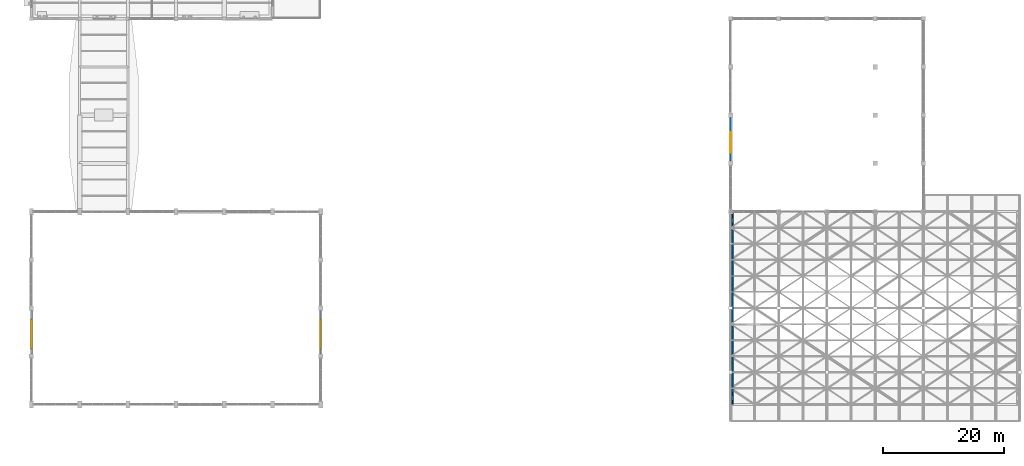
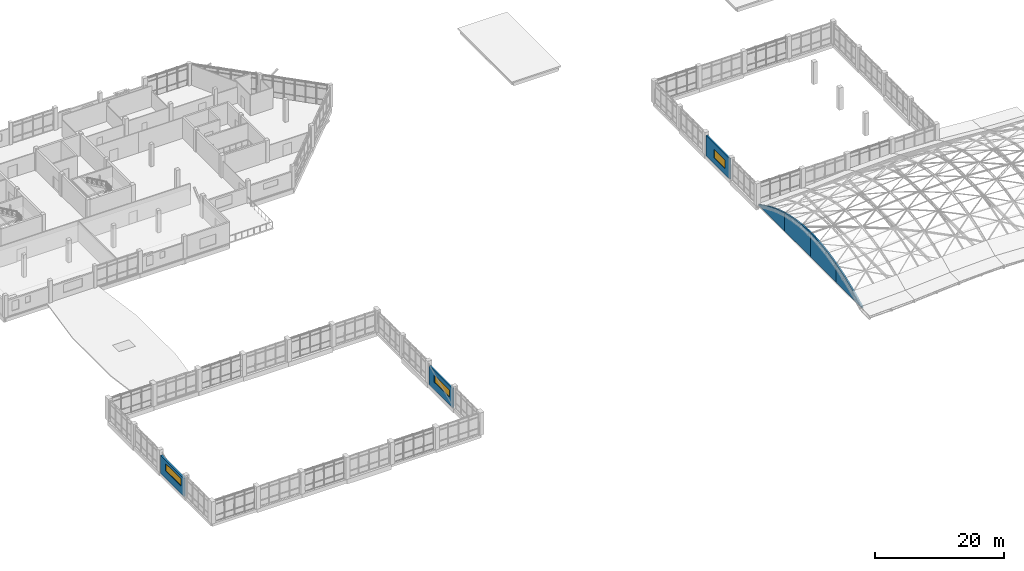
# One storey, part 63 of 72: 7 walls, 3 windows, 3 openings.
"""IFC4 building model written with IfcOpenShell, lengths in metres."""

from ifc_helpers import new_model, si_unit, direction, frame, frame_2d, origin, place, context, subcontext, project, spatial, polyline, rectangle, outline, extrude, material, layer, layer_set, type_object, element, fill, save


model = new_model("IFC4")

# Units and contexts
model_context = context("Model", 3, precision=1e-05, world=origin(), true_north=direction((0.0, 1.0)))
body_context = subcontext(model_context, "Body", "Model", "MODEL_VIEW")
ifc_project = project(units=[si_unit("LENGTHUNIT", "METRE"), si_unit("AREAUNIT", "SQUARE_METRE"), si_unit("VOLUMEUNIT", "CUBIC_METRE"), si_unit("PLANEANGLEUNIT", "RADIAN"), si_unit("MASSUNIT", "GRAM", prefix="KILO")], contexts=[model_context])

# Site, building, storey
site_placement = place(None, origin())
site = spatial("IfcSite", under=ifc_project, at=site_placement, CompositionType="ELEMENT")
building_placement = place(site_placement, origin())
building = spatial("IfcBuilding", under=site, at=building_placement, Name="Tenunan Teduh Sports Hall", CompositionType="ELEMENT")
storey_placement = place(building_placement, frame((0.0, 0.0, 15.0)))
storey = spatial("IfcBuildingStorey", under=building, at=storey_placement, Name="L03", CompositionType="ELEMENT", Elevation=15.0)

# Walls
ifc_material_1 = material(Name="Precast concrete C40/50", Category="concrete")
ifc_layer_1 = layer(ifc_material_1, 0.25)
ifc_layer_set_1 = layer_set([ifc_layer_1], Name="Precast concrete C40/50")
wall_type_1 = type_object("IfcWallType", Name="WL-EXT-250", PredefinedType="SOLIDWALL", material=ifc_layer_set_1)
wall_1_placement = place(storey_placement, frame((122.353515625, 14.0, -0.27001953125), z_axis=(0.0, 0.0, 1.0), x_axis=(0.0, 1.0, 0.0)))
element("IfcWall", 1, at=wall_1_placement, inside=storey, type_object=wall_type_1, Name="WL-EXT-L03-078", PredefinedType="SOLIDWALL", context=body_context, shape_type="SweptSolid", body=[
    extrude(outline(polyline([(0.0, 0.0), (8.0, 0.0), (8.0, 3.470947265625), (6.6669921875, 3.072021484375), (5.3330078125, 2.614990234375), (4.0, 2.095947265625), (2.6669921875, 1.513916015625), (1.3330078125, 0.873046875), (0.0, 0.169921875), (0.0, 0.0)])), frame((0.0, 0.125, 0.0), z_axis=(0.0, -1.0, 0.0), x_axis=(1.0, 0.0, 0.0)), (0.0, 0.0, 1.0), 0.25),
])
wall_2_placement = place(storey_placement, frame((122.353515625, 22.0, -0.27001953125), z_axis=(0.0, 0.0, 1.0), x_axis=(0.0, 1.0, 0.0)))
element("IfcWall", 2, at=wall_2_placement, inside=storey, type_object=wall_type_1, Name="WL-EXT-L03-079", PredefinedType="SOLIDWALL", context=body_context, shape_type="SweptSolid", body=[
    extrude(outline(polyline([(0.0, 0.0), (8.0, 0.0), (8.0, 4.568115234375), (6.6669921875, 4.541015625), (5.3330078125, 4.447021484375), (4.0, 4.294921875), (2.6669921875, 4.080078125), (1.3330078125, 3.80712890625), (0.0, 3.470947265625), (0.0, 0.0)])), frame((0.0, 0.125, 0.0), z_axis=(0.0, -1.0, 0.0), x_axis=(1.0, 0.0, 0.0)), (0.0, 0.0, 1.0), 0.25),
])
wall_3_placement = place(storey_placement, frame((122.353515625, 30.0, -0.27001953125), z_axis=(0.0, 0.0, 1.0), x_axis=(0.0, 1.0, 0.0)))
element("IfcWall", 3, at=wall_3_placement, inside=storey, type_object=wall_type_1, Name="WL-EXT-L03-080", PredefinedType="SOLIDWALL", context=body_context, shape_type="SweptSolid", body=[
    extrude(outline(polyline([(0.0, 0.0), (8.0, 0.0), (8.0, 3.470947265625), (6.6669921875, 3.80712890625), (5.3330078125, 4.080078125), (4.0, 4.294921875), (2.6669921875, 4.447021484375), (1.3330078125, 4.541015625), (0.0, 4.568115234375), (0.0, 0.0)])), frame((0.0, 0.125, 0.0), z_axis=(0.0, -1.0, 0.0), x_axis=(1.0, 0.0, 0.0)), (0.0, 0.0, 1.0), 0.25),
])
wall_4_placement = place(storey_placement, frame((122.353515625, 38.0, -0.27001953125), z_axis=(0.0, 0.0, 1.0), x_axis=(0.0, 1.0, 0.0)))
element("IfcWall", 4, at=wall_4_placement, inside=storey, type_object=wall_type_1, Name="WL-EXT-L03-081", PredefinedType="SOLIDWALL", context=body_context, shape_type="SweptSolid", body=[
    extrude(outline(polyline([(0.0, 0.0), (8.0, 0.0), (8.0, 0.169921875), (6.6669921875, 0.873046875), (5.3330078125, 1.513916015625), (4.0, 2.095947265625), (2.6669921875, 2.614990234375), (1.3330078125, 3.072021484375), (0.0, 3.470947265625), (0.0, 0.0)])), frame((0.0, 0.125, 0.0), z_axis=(0.0, -1.0, 0.0), x_axis=(1.0, 0.0, 0.0)), (0.0, 0.0, 1.0), 0.25),
])

# Wall, opening, window
ifc_material_2 = material(Name="Concrete C40/50", Category="concrete")
ifc_layer_2 = layer(ifc_material_2, 0.280029296875)
ifc_layer_set_2 = layer_set([ifc_layer_2], Name="Concrete C40/50")
wall_type_2 = type_object("IfcWallType", Name="WL-EXT-280", PredefinedType="SOLIDWALL", material=ifc_layer_set_2)
wall_5_placement = place(storey_placement, frame((122.0, 54.375, -0.27001953125), z_axis=(0.0, 0.0, 1.0), x_axis=(0.0, 1.0, 0.0)))
wall_5 = element("IfcWall", 5, at=wall_5_placement, inside=storey, type_object=wall_type_2, Name="WL-EXT-L03-126", PredefinedType="SOLIDWALL", context=body_context, shape_type="SweptSolid", body=[
    extrude(rectangle(XDim=7.25, YDim=0.280029296875, at=frame_2d((3.625, 0.0))), origin(), (0.0, 0.0, 1.0), 3.880126953125),
])
opening_1_placement = place(wall_5_placement, frame((1.39990234375, 0.0, 1.10009765625)))
opening_1 = element("IfcOpeningElement", 6, at=opening_1_placement, cuts=wall_5, Name="Opening W-15", PredefinedType="OPENING", context=body_context, shape_type="SweptSolid", body=[
    extrude(rectangle(XDim=3.39990234375, YDim=1.60009765625, at=frame_2d((1.699951171875, 0.800048828125))), frame((0.0, 0.14990234375, 0.0), z_axis=(0.0, -1.0, 0.0), x_axis=(1.0, 0.0, 0.0)), (0.0, 0.0, 1.0), 0.300048828125),
])
ifc_material_3 = material(Name="Thermally broken aluminium and Low-E glazing", Category="aluminium")
window_type_1 = type_object("IfcWindowType", Name="WIN-15", PartitioningType="TRIPLE_PANEL_VERTICAL", PredefinedType="WINDOW", material=ifc_material_3)
window_1_placement = place(opening_1_placement, origin())
window_1 = element("IfcWindow", 7, at=window_1_placement, inside=storey, type_object=window_type_1, Name="WIN-L03-024", OverallHeight=1.60009765625, OverallWidth=3.39990234375, PartitioningType="SINGLE_PANEL", PredefinedType="WINDOW", context=body_context, shape_type="SweptSolid", body=[
    extrude(rectangle(XDim=3.39990234375, YDim=1.60009765625, at=frame_2d((1.699951171875, 0.800048828125))), frame((0.0, 0.030029296875, 0.0), z_axis=(0.0, -1.0, 0.0), x_axis=(1.0, 0.0, 0.0)), (0.0, 0.0, 1.0), 0.06005859375),
])
fill(opening_1, window_1)

ifc_material_4 = material(Name="Concrete C40/50", Category="concrete")
ifc_layer_3 = layer(ifc_material_4, 0.300048828125)
ifc_layer_set_3 = layer_set([ifc_layer_3], Name="Concrete C40/50")
wall_type_3 = type_object("IfcWallType", Name="WL-EXT-300", PredefinedType="SOLIDWALL", material=ifc_layer_set_3)
wall_6_placement = place(storey_placement, frame((6.0, 22.375, -0.27001953125), z_axis=(0.0, 0.0, 1.0), x_axis=(0.0, 1.0, 0.0)))
wall_6 = element("IfcWall", 8, at=wall_6_placement, inside=storey, type_object=wall_type_3, Name="WL-EXT-L03-106", PredefinedType="SOLIDWALL", context=body_context, shape_type="SweptSolid", body=[
    extrude(rectangle(XDim=7.25, YDim=0.300048828125, at=frame_2d((3.625, 0.0))), origin(), (0.0, 0.0, 1.0), 3.449951171875),
])
opening_2_placement = place(wall_6_placement, frame((0.89990234375, 0.0, 1.419921875)))
opening_2 = element("IfcOpeningElement", 9, at=opening_2_placement, cuts=wall_6, Name="Opening W-12", PredefinedType="OPENING", context=body_context, shape_type="SweptSolid", body=[
    extrude(rectangle(XDim=4.800048828125, YDim=1.39990234375, at=frame_2d((2.39990234375, 0.699951171875))), frame((0.0, 0.159912109375, 0.0), z_axis=(0.0, -1.0, 0.0), x_axis=(1.0, 0.0, 0.0)), (0.0, 0.0, 1.0), 0.320068359375),
])
ifc_material_5 = material(Name="Thermally broken aluminium and Low-E glazing", Category="aluminium")
window_type_2 = type_object("IfcWindowType", Name="WIN-12", PartitioningType="TRIPLE_PANEL_HORIZONTAL", PredefinedType="WINDOW", material=ifc_material_5)
window_2_placement = place(opening_2_placement, origin())
window_2 = element("IfcWindow", 10, at=window_2_placement, inside=storey, type_object=window_type_2, Name="WIN-L03-018", OverallHeight=1.39990234375, OverallWidth=4.800048828125, PartitioningType="SINGLE_PANEL", PredefinedType="WINDOW", context=body_context, shape_type="SweptSolid", body=[
    extrude(rectangle(XDim=4.800048828125, YDim=1.39990234375, at=frame_2d((2.39990234375, 0.699951171875))), frame((0.0, 0.030029296875, 0.0), z_axis=(0.0, -1.0, 0.0), x_axis=(1.0, 0.0, 0.0)), (0.0, 0.0, 1.0), 0.06005859375),
])
fill(opening_2, window_2)

wall_7_placement = place(storey_placement, frame((54.0, 22.375, -0.27001953125), z_axis=(0.0, 0.0, 1.0), x_axis=(0.0, 1.0, 0.0)))
wall_7 = element("IfcWall", 11, at=wall_7_placement, inside=storey, type_object=wall_type_3, Name="WL-EXT-L03-107", PredefinedType="SOLIDWALL", context=body_context, shape_type="SweptSolid", body=[
    extrude(rectangle(XDim=7.25, YDim=0.300048828125, at=frame_2d((3.625, 0.0))), origin(), (0.0, 0.0, 1.0), 3.60009765625),
])
opening_3_placement = place(wall_7_placement, frame((0.89990234375, 0.0, 1.419921875)))
opening_3 = element("IfcOpeningElement", 12, at=opening_3_placement, cuts=wall_7, Name="Opening W-12", PredefinedType="OPENING", context=body_context, shape_type="SweptSolid", body=[
    extrude(rectangle(XDim=4.800048828125, YDim=1.39990234375, at=frame_2d((2.39990234375, 0.699951171875))), frame((0.0, 0.159912109375, 0.0), z_axis=(0.0, -1.0, 0.0), x_axis=(1.0, 0.0, 0.0)), (0.0, 0.0, 1.0), 0.320068359375),
])
window_3_placement = place(opening_3_placement, origin())
window_3 = element("IfcWindow", 13, at=window_3_placement, inside=storey, type_object=window_type_2, Name="WIN-L03-019", OverallHeight=1.39990234375, OverallWidth=4.800048828125, PartitioningType="SINGLE_PANEL", PredefinedType="WINDOW", context=body_context, shape_type="SweptSolid", body=[
    extrude(rectangle(XDim=4.800048828125, YDim=1.39990234375, at=frame_2d((2.39990234375, 0.699951171875))), frame((0.0, 0.030029296875, 0.0), z_axis=(0.0, -1.0, 0.0), x_axis=(1.0, 0.0, 0.0)), (0.0, 0.0, 1.0), 0.06005859375),
])
fill(opening_3, window_3)

save(model, "model.ifc")
